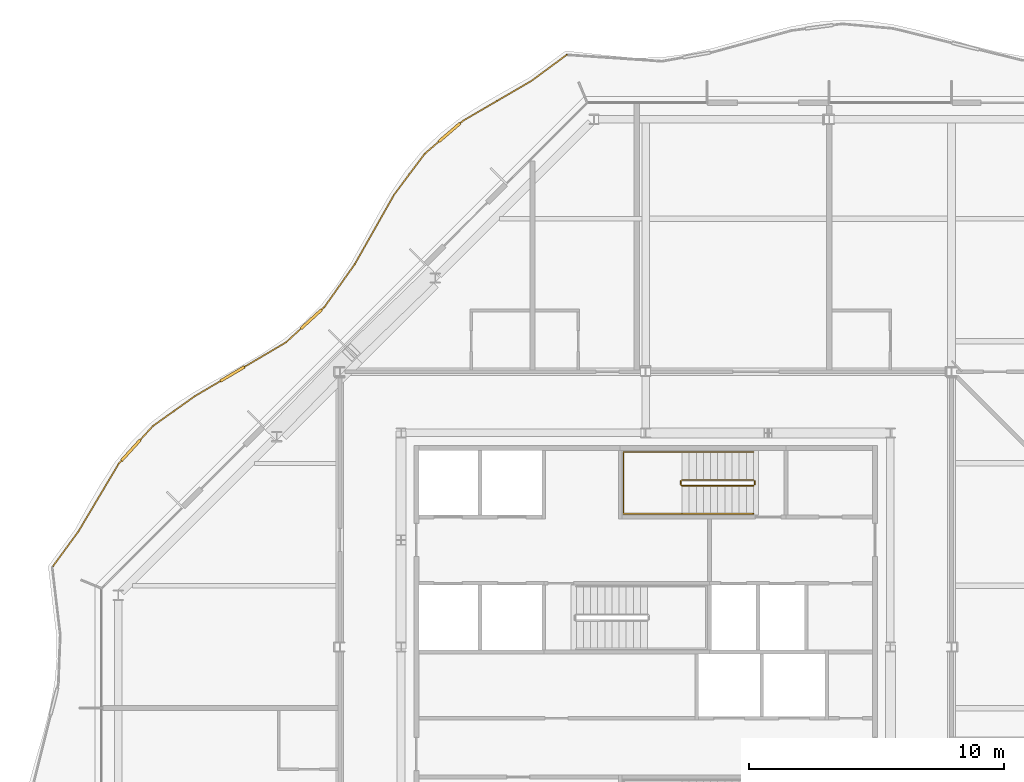
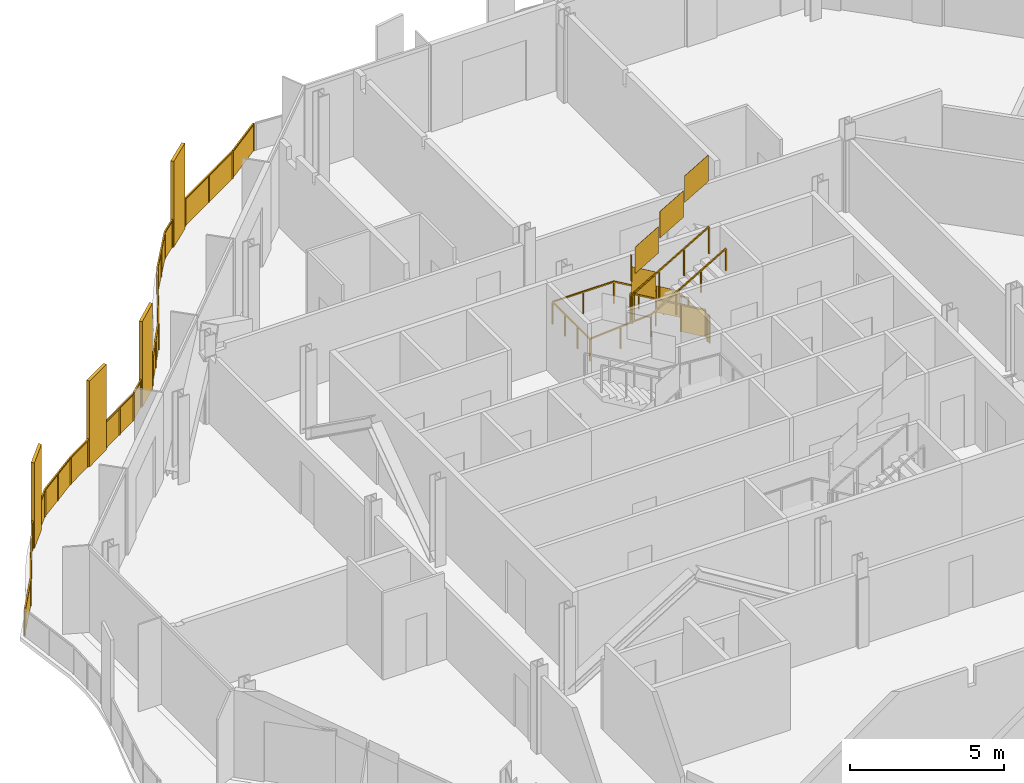
# One storey, part 16 of 17: 4 railings.
"""IFC4 building model written with IfcOpenShell, lengths in metres."""

from ifc_helpers import new_model, si_unit, direction, frame, origin, origin_2d, place, context, subcontext, project, spatial, polyline, rectangle, outline, extrude, material, type_object, element, save


model = new_model("IFC4")

# Units and contexts
model_context = context("Model", 3, precision=1e-05, world=origin(), true_north=direction((0.0, 1.0)))
body_context = subcontext(model_context, "Body", "Model", "MODEL_VIEW")
ifc_project = project(units=[si_unit("LENGTHUNIT", "METRE"), si_unit("AREAUNIT", "SQUARE_METRE"), si_unit("VOLUMEUNIT", "CUBIC_METRE"), si_unit("PLANEANGLEUNIT", "RADIAN"), si_unit("MASSUNIT", "GRAM", prefix="KILO")], contexts=[model_context])

# Site, building, storey
site_placement = place(None, origin())
site = spatial("IfcSite", under=ifc_project, at=site_placement, CompositionType="ELEMENT")
building_placement = place(site_placement, origin())
building = spatial("IfcBuilding", under=site, at=building_placement, Name="Cairn Pilgrim Tower", CompositionType="ELEMENT")
storey_placement = place(building_placement, frame((0.0, 0.0, 235.800048828125)))
storey = spatial("IfcBuildingStorey", under=building, at=storey_placement, Name="L60", CompositionType="ELEMENT", Elevation=235.800048828125)

# Railings
ifc_material_1 = material(Name="Bronze anodised aluminium rail, posts and fin screens with laminated glass infill", Category="aluminium")
railing_type_1 = type_object("IfcRailingType", Name="BALCONY GUARD WITH FIN SCREENS", PredefinedType="GUARDRAIL", material=ifc_material_1)
railing_1_placement = place(storey_placement, frame((4.1044921875, 25.633544921875, 0.0)))
element("IfcRailing", 1, at=railing_1_placement, inside=storey, type_object=railing_type_1, Name="Balcony guard BGF-6 with fin screens", PredefinedType="GUARDRAIL", context=body_context, shape_type="SweptSolid", body=[
    extrude(rectangle(XDim=0.050048828125, YDim=0.050048828125, at=origin_2d()), frame((0.0, 0.0, 1.0751953125), z_axis=(-0.80444475664, -0.594027468653, 0.0), x_axis=(0.594027468653, -0.80444475664, 0.0)), (0.0, 0.0, 1.0), 1.71826171875),
    extrude(rectangle(XDim=0.050048828125, YDim=0.050048828125, at=origin_2d()), frame((-1.38232421875, -1.020751953125, 1.0751953125), z_axis=(-0.863838605298, -0.503768661189, 0.0), x_axis=(0.503768661189, -0.863838605298, 0.0)), (0.0, 0.0, 1.0), 3.1142578125),
    extrude(rectangle(XDim=1.10009765625, YDim=0.110107421875, at=origin_2d()), frame((-4.602783203125, -3.046630859375, 0.0), z_axis=(0.0, 0.0, 1.0), x_axis=(-0.757518929404, -0.652813198085, 0.0)), (0.0, 0.0, 1.0), 3.39990234375),
    extrude(rectangle(XDim=0.050048828125, YDim=0.050048828125, at=origin_2d()), frame((-4.072509765625, -2.589599609375, 1.0751953125), z_axis=(-0.757518929404, -0.652813198085, 0.0), x_axis=(0.652813198085, -0.757518929404, 0.0)), (0.0, 0.0, 1.0), 0.150146484375),
    extrude(rectangle(XDim=0.050048828125, YDim=0.050048828125, at=origin_2d()), frame((-5.01953125, -3.40576171875, 1.0751953125), z_axis=(-0.757518929404, -0.652813198085, 0.0), x_axis=(0.652813198085, -0.757518929404, 0.0)), (0.0, 0.0, 1.0), 0.736572265625),
    extrude(rectangle(XDim=0.050048828125, YDim=0.050048828125, at=origin_2d()), frame((-5.577392578125, -3.886474609375, 1.0751953125), z_axis=(-0.598577750348, -0.801064714482, 0.0), x_axis=(0.801064714482, -0.598577750348, 0.0)), (0.0, 0.0, 1.0), 2.00634765625),
    extrude(rectangle(XDim=0.050048828125, YDim=0.050048828125, at=origin_2d()), frame((-6.7783203125, -5.49365234375, 1.0751953125), z_axis=(-0.492597104851, -0.870257486203, 0.0), x_axis=(0.870257486203, -0.492597104851, 0.0)), (0.0, 0.0, 1.0), 3.12890625),
    extrude(rectangle(XDim=0.050048828125, YDim=0.050048828125, at=origin_2d()), frame((-8.319580078125, -8.216552734375, 1.0751953125), z_axis=(-0.577764632269, -0.816203424214, 0.0), x_axis=(0.816203424214, -0.577764632269, 0.0)), (0.0, 0.0, 1.0), 2.064208984375),
    extrude(rectangle(XDim=1.10009765625, YDim=0.110107421875, at=origin_2d()), frame((-10.028076171875, -10.37451171875, 0.0), z_axis=(0.0, 0.0, 1.0), x_axis=(-0.736950930618, -0.675946244801, 0.0)), (0.0, 0.0, 1.0), 3.39990234375),
    extrude(rectangle(XDim=0.050048828125, YDim=0.050048828125, at=origin_2d()), frame((-9.51220703125, -9.9013671875, 1.0751953125), z_axis=(-0.736950930618, -0.675946244801, 0.0), x_axis=(0.675946244801, -0.736950930618, 0.0)), (0.0, 0.0, 1.0), 0.150146484375),
    extrude(rectangle(XDim=0.050048828125, YDim=0.050048828125, at=origin_2d()), frame((-10.433349609375, -10.746337890625, 1.0751953125), z_axis=(-0.736950930618, -0.675946244801, 0.0), x_axis=(0.675946244801, -0.736950930618, 0.0)), (0.0, 0.0, 1.0), 0.794921875),
    extrude(rectangle(XDim=1.10009765625, YDim=0.110107421875, at=origin_2d()), frame((-13.12060546875, -12.524169921875, 0.0), z_axis=(0.0, 0.0, 1.0), x_axis=(-0.861129603371, -0.508385489759, 0.0)), (0.0, 0.0, 1.0), 3.39990234375),
    extrude(rectangle(XDim=0.050048828125, YDim=0.050048828125, at=origin_2d()), frame((-11.019287109375, -11.28369140625, 1.0751953125), z_axis=(-0.861129603371, -0.508385489759, 0.0), x_axis=(0.508385489759, -0.861129603371, 0.0)), (0.0, 0.0, 1.0), 1.89013671875),
    extrude(rectangle(XDim=0.050048828125, YDim=0.050048828125, at=origin_2d()), frame((-13.59423828125, -12.803955078125, 1.0751953125), z_axis=(-0.861129603371, -0.508385489759, 0.0), x_axis=(0.508385489759, -0.861129603371, 0.0)), (0.0, 0.0, 1.0), 1.1728515625),
    extrude(rectangle(XDim=0.050048828125, YDim=0.050048828125, at=origin_2d()), frame((-14.604248046875, -13.400146484375, 1.0751953125), z_axis=(-0.813872521637, -0.581043473867, 0.0), x_axis=(0.581043473867, -0.813872521637, 0.0)), (0.0, 0.0, 1.0), 2.016357421875),
    extrude(rectangle(XDim=1.10009765625, YDim=0.110107421875, at=origin_2d()), frame((-17.107666015625, -15.521484375, 0.0), z_axis=(0.0, 0.0, 1.0), x_axis=(-0.672237498188, -0.740335563126, 0.0)), (0.0, 0.0, 1.0), 3.39990234375),
    extrude(rectangle(XDim=0.050048828125, YDim=0.050048828125, at=origin_2d()), frame((-16.245361328125, -14.57177734375, 1.0751953125), z_axis=(-0.672237498188, -0.740335563126, 0.0), x_axis=(0.740335563126, -0.672237498188, 0.0)), (0.0, 0.0, 1.0), 0.732666015625),
    extrude(rectangle(XDim=0.050048828125, YDim=0.050048828125, at=origin_2d()), frame((-17.477294921875, -15.9287109375, 1.0751953125), z_axis=(-0.672237498188, -0.740335563126, 0.0), x_axis=(0.740335563126, -0.672237498188, 0.0)), (0.0, 0.0, 1.0), 0.14990234375),
    extrude(rectangle(XDim=0.050048828125, YDim=0.050048828125, at=origin_2d()), frame((-17.578125, -16.03955078125, 1.0751953125), z_axis=(-0.511196287335, -0.859463993321, 0.0), x_axis=(0.859463993321, -0.511196287335, 0.0)), (0.0, 0.0, 1.0), 3.104736328125),
    extrude(rectangle(XDim=0.050048828125, YDim=0.050048828125, at=origin_2d()), frame((-19.165283203125, -18.7080078125, 1.0751953125), z_axis=(-0.590556206085, -0.806996510187, 0.0), x_axis=(0.806996510187, -0.590556206085, 0.0)), (0.0, 0.0, 1.0), 1.678466796875),
    extrude(rectangle(XDim=0.050048828125, YDim=0.050048828125, at=origin_2d()), origin(), (0.0, 0.0, 1.0), 1.050048828125),
    extrude(rectangle(XDim=0.050048828125, YDim=0.050048828125, at=origin_2d()), frame((-1.38232421875, -1.020751953125, 0.0)), (0.0, 0.0, 1.0), 1.050048828125),
    extrude(rectangle(XDim=0.050048828125, YDim=0.050048828125, at=origin_2d()), frame((-2.7275390625, -1.80517578125, 0.0)), (0.0, 0.0, 1.0), 1.050048828125),
    extrude(rectangle(XDim=0.050048828125, YDim=0.050048828125, at=origin_2d()), frame((-4.072509765625, -2.589599609375, 0.0)), (0.0, 0.0, 1.0), 1.050048828125),
    extrude(rectangle(XDim=0.050048828125, YDim=0.050048828125, at=origin_2d()), frame((-4.167236328125, -2.671142578125, 0.0)), (0.0, 0.0, 1.0), 1.050048828125),
    extrude(rectangle(XDim=0.050048828125, YDim=0.050048828125, at=origin_2d()), frame((-5.03857421875, -3.422119140625, 0.0)), (0.0, 0.0, 1.0), 1.050048828125),
    extrude(rectangle(XDim=0.050048828125, YDim=0.050048828125, at=origin_2d()), frame((-5.577392578125, -3.886474609375, 0.0)), (0.0, 0.0, 1.0), 1.050048828125),
    extrude(rectangle(XDim=0.050048828125, YDim=0.050048828125, at=origin_2d()), frame((-6.177734375, -4.68994140625, 0.0)), (0.0, 0.0, 1.0), 1.050048828125),
    extrude(rectangle(XDim=0.050048828125, YDim=0.050048828125, at=origin_2d()), frame((-6.7783203125, -5.49365234375, 0.0)), (0.0, 0.0, 1.0), 1.050048828125),
    extrude(rectangle(XDim=0.050048828125, YDim=0.050048828125, at=origin_2d()), frame((-7.548828125, -6.85498046875, 0.0)), (0.0, 0.0, 1.0), 1.050048828125),
    extrude(rectangle(XDim=0.050048828125, YDim=0.050048828125, at=origin_2d()), frame((-8.319580078125, -8.216552734375, 0.0)), (0.0, 0.0, 1.0), 1.050048828125),
    extrude(rectangle(XDim=0.050048828125, YDim=0.050048828125, at=origin_2d()), frame((-8.916015625, -9.05908203125, 0.0)), (0.0, 0.0, 1.0), 1.050048828125),
    extrude(rectangle(XDim=0.050048828125, YDim=0.050048828125, at=origin_2d()), frame((-9.51220703125, -9.9013671875, 0.0)), (0.0, 0.0, 1.0), 1.050048828125),
    extrude(rectangle(XDim=0.050048828125, YDim=0.050048828125, at=origin_2d()), frame((-9.604248046875, -9.98583984375, 0.0)), (0.0, 0.0, 1.0), 1.050048828125),
    extrude(rectangle(XDim=0.050048828125, YDim=0.050048828125, at=origin_2d()), frame((-10.451904296875, -10.76318359375, 0.0)), (0.0, 0.0, 1.0), 1.050048828125),
    extrude(rectangle(XDim=0.050048828125, YDim=0.050048828125, at=origin_2d()), frame((-11.019287109375, -11.28369140625, 0.0)), (0.0, 0.0, 1.0), 1.050048828125),
    extrude(rectangle(XDim=0.050048828125, YDim=0.050048828125, at=origin_2d()), frame((-11.822265625, -11.7578125, 0.0)), (0.0, 0.0, 1.0), 1.050048828125),
    extrude(rectangle(XDim=0.050048828125, YDim=0.050048828125, at=origin_2d()), frame((-12.62548828125, -12.23193359375, 0.0)), (0.0, 0.0, 1.0), 1.050048828125),
    extrude(rectangle(XDim=0.050048828125, YDim=0.050048828125, at=origin_2d()), frame((-13.61572265625, -12.816650390625, 0.0)), (0.0, 0.0, 1.0), 1.050048828125),
    extrude(rectangle(XDim=0.050048828125, YDim=0.050048828125, at=origin_2d()), frame((-14.604248046875, -13.400146484375, 0.0)), (0.0, 0.0, 1.0), 1.050048828125),
    extrude(rectangle(XDim=0.050048828125, YDim=0.050048828125, at=origin_2d()), frame((-15.4248046875, -13.98583984375, 0.0)), (0.0, 0.0, 1.0), 1.050048828125),
    extrude(rectangle(XDim=0.050048828125, YDim=0.050048828125, at=origin_2d()), frame((-16.245361328125, -14.57177734375, 0.0)), (0.0, 0.0, 1.0), 1.050048828125),
    extrude(rectangle(XDim=0.050048828125, YDim=0.050048828125, at=origin_2d()), frame((-16.72119140625, -15.095703125, 0.0)), (0.0, 0.0, 1.0), 1.050048828125),
    extrude(rectangle(XDim=0.050048828125, YDim=0.050048828125, at=origin_2d()), frame((-17.494140625, -15.947021484375, 0.0)), (0.0, 0.0, 1.0), 1.050048828125),
    extrude(rectangle(XDim=0.050048828125, YDim=0.050048828125, at=origin_2d()), frame((-17.578125, -16.03955078125, 0.0)), (0.0, 0.0, 1.0), 1.050048828125),
    extrude(rectangle(XDim=0.050048828125, YDim=0.050048828125, at=origin_2d()), frame((-18.37158203125, -17.373779296875, 0.0)), (0.0, 0.0, 1.0), 1.050048828125),
    extrude(rectangle(XDim=0.050048828125, YDim=0.050048828125, at=origin_2d()), frame((-19.165283203125, -18.7080078125, 0.0)), (0.0, 0.0, 1.0), 1.050048828125),
    extrude(rectangle(XDim=0.050048828125, YDim=0.050048828125, at=origin_2d()), frame((-20.156494140625, -20.0625, 0.0)), (0.0, 0.0, 1.0), 1.050048828125),
    extrude(outline(polyline([(0.02490234375, 0.0), (1.693359375, 0.0), (1.693359375, 1.050048828125), (0.02490234375, 1.050048828125), (0.02490234375, 0.0)])), frame((0.003662109375, -0.0048828125, 0.0), z_axis=(-0.594027468653, 0.80444475664, 0.0), x_axis=(-0.80444475664, -0.594027468653, 0.0)), (0.0, 0.0, 1.0), 0.011962890625),
    extrude(outline(polyline([(0.02490234375, 0.0), (1.531982421875, 0.0), (1.531982421875, 1.050048828125), (0.02490234375, 1.050048828125), (0.02490234375, 0.0)])), frame((-1.37939453125, -1.02587890625, 0.0), z_axis=(-0.503768661189, 0.863838605298, 0.0), x_axis=(-0.863838605298, -0.503768661189, 0.0)), (0.0, 0.0, 1.0), 0.011962890625),
    extrude(outline(polyline([(0.02490234375, 0.0), (1.531982421875, 0.0), (1.531982421875, 1.050048828125), (0.02490234375, 1.050048828125), (0.02490234375, 0.0)])), frame((-2.724365234375, -1.810302734375, 0.0), z_axis=(-0.503768661189, 0.863838605298, 0.0), x_axis=(-0.863838605298, -0.503768661189, 0.0)), (0.0, 0.0, 1.0), 0.011962890625),
    extrude(outline(polyline([(0.02490234375, 0.0), (0.10009765625, 0.0), (0.10009765625, 1.050048828125), (0.02490234375, 1.050048828125), (0.02490234375, 0.0)])), frame((-4.068603515625, -2.59423828125, 0.0), z_axis=(-0.652813198085, 0.757518929404, 0.0), x_axis=(-0.757518929404, -0.652813198085, 0.0)), (0.0, 0.0, 1.0), 0.011962890625),
    extrude(outline(polyline([(0.02490234375, 0.0), (0.6865234375, 0.0), (0.6865234375, 1.050048828125), (0.02490234375, 1.050048828125), (0.02490234375, 0.0)])), frame((-5.03466796875, -3.426513671875, 0.0), z_axis=(-0.652813198085, 0.757518929404, 0.0), x_axis=(-0.757518929404, -0.652813198085, 0.0)), (0.0, 0.0, 1.0), 0.011962890625),
    extrude(outline(polyline([(0.02490234375, 0.0), (0.97802734375, 0.0), (0.97802734375, 1.050048828125), (0.02490234375, 1.050048828125), (0.02490234375, 0.0)])), frame((-5.572509765625, -3.89013671875, 0.0), z_axis=(-0.801064714482, 0.598577750348, 0.0), x_axis=(-0.598577750348, -0.801064714482, 0.0)), (0.0, 0.0, 1.0), 0.011962890625),
    extrude(outline(polyline([(0.02490234375, 0.0), (0.97802734375, 0.0), (0.97802734375, 1.050048828125), (0.02490234375, 1.050048828125), (0.02490234375, 0.0)])), frame((-6.173095703125, -4.693603515625, 0.0), z_axis=(-0.801064714482, 0.598577750348, 0.0), x_axis=(-0.598577750348, -0.801064714482, 0.0)), (0.0, 0.0, 1.0), 0.011962890625),
    extrude(outline(polyline([(0.02490234375, 0.0), (1.539306640625, 0.0), (1.539306640625, 1.050048828125), (0.02490234375, 1.050048828125), (0.02490234375, 0.0)])), frame((-6.773193359375, -5.49658203125, 0.0), z_axis=(-0.870257486203, 0.492597104851, 0.0), x_axis=(-0.492597104851, -0.870257486203, 0.0)), (0.0, 0.0, 1.0), 0.011962890625),
    extrude(outline(polyline([(0.02490234375, 0.0), (1.539306640625, 0.0), (1.539306640625, 1.050048828125), (0.02490234375, 1.050048828125), (0.02490234375, 0.0)])), frame((-7.543701171875, -6.858154296875, 0.0), z_axis=(-0.870257486203, 0.492597104851, 0.0), x_axis=(-0.492597104851, -0.870257486203, 0.0)), (0.0, 0.0, 1.0), 0.011962890625),
    extrude(outline(polyline([(0.02490234375, 0.0), (1.007080078125, 0.0), (1.007080078125, 1.050048828125), (0.02490234375, 1.050048828125), (0.02490234375, 0.0)])), frame((-8.314697265625, -8.219970703125, 0.0), z_axis=(-0.816203424214, 0.577764632269, 0.0), x_axis=(-0.577764632269, -0.816203424214, 0.0)), (0.0, 0.0, 1.0), 0.011962890625),
    extrude(outline(polyline([(0.02490234375, 0.0), (1.007080078125, 0.0), (1.007080078125, 1.050048828125), (0.02490234375, 1.050048828125), (0.02490234375, 0.0)])), frame((-8.9111328125, -9.0625, 0.0), z_axis=(-0.816203424214, 0.577764632269, 0.0), x_axis=(-0.577764632269, -0.816203424214, 0.0)), (0.0, 0.0, 1.0), 0.011962890625),
    extrude(outline(polyline([(0.02490234375, 0.0), (0.10009765625, 0.0), (0.10009765625, 1.050048828125), (0.02490234375, 1.050048828125), (0.02490234375, 0.0)])), frame((-9.508056640625, -9.90576171875, 0.0), z_axis=(-0.675946244801, 0.736950930618, 0.0), x_axis=(-0.736950930618, -0.675946244801, 0.0)), (0.0, 0.0, 1.0), 0.011962890625),
    extrude(outline(polyline([(0.02490234375, 0.0), (0.744873046875, 0.0), (0.744873046875, 1.050048828125), (0.02490234375, 1.050048828125), (0.02490234375, 0.0)])), frame((-10.44775390625, -10.767578125, 0.0), z_axis=(-0.675946244801, 0.736950930618, 0.0), x_axis=(-0.736950930618, -0.675946244801, 0.0)), (0.0, 0.0, 1.0), 0.011962890625),
    extrude(outline(polyline([(0.02490234375, 0.0), (0.907470703125, 0.0), (0.907470703125, 1.050048828125), (0.02490234375, 1.050048828125), (0.02490234375, 0.0)])), frame((-11.016357421875, -11.288818359375, 0.0), z_axis=(-0.508385489759, 0.861129603371, 0.0), x_axis=(-0.861129603371, -0.508385489759, 0.0)), (0.0, 0.0, 1.0), 0.011962890625),
    extrude(outline(polyline([(0.02490234375, 0.0), (0.907470703125, 0.0), (0.907470703125, 1.050048828125), (0.02490234375, 1.050048828125), (0.02490234375, 0.0)])), frame((-11.8193359375, -11.762939453125, 0.0), z_axis=(-0.508385489759, 0.861129603371, 0.0), x_axis=(-0.861129603371, -0.508385489759, 0.0)), (0.0, 0.0, 1.0), 0.011962890625),
    extrude(outline(polyline([(0.02490234375, 0.0), (1.122802734375, 0.0), (1.122802734375, 1.050048828125), (0.02490234375, 1.050048828125), (0.02490234375, 0.0)])), frame((-13.61279296875, -12.82177734375, 0.0), z_axis=(-0.508385489759, 0.861129603371, 0.0), x_axis=(-0.861129603371, -0.508385489759, 0.0)), (0.0, 0.0, 1.0), 0.011962890625),
    extrude(outline(polyline([(0.02490234375, 0.0), (0.983154296875, 0.0), (0.983154296875, 1.050048828125), (0.02490234375, 1.050048828125), (0.02490234375, 0.0)])), frame((-14.600830078125, -13.405029296875, 0.0), z_axis=(-0.581043473867, 0.813872521637, 0.0), x_axis=(-0.813872521637, -0.581043473867, 0.0)), (0.0, 0.0, 1.0), 0.011962890625),
    extrude(outline(polyline([(0.02490234375, 0.0), (0.983154296875, 0.0), (0.983154296875, 1.050048828125), (0.02490234375, 1.050048828125), (0.02490234375, 0.0)])), frame((-15.42138671875, -13.99072265625, 0.0), z_axis=(-0.581043473867, 0.813872521637, 0.0), x_axis=(-0.813872521637, -0.581043473867, 0.0)), (0.0, 0.0, 1.0), 0.011962890625),
    extrude(outline(polyline([(0.02490234375, 0.0), (0.6826171875, 0.0), (0.6826171875, 1.050048828125), (0.02490234375, 1.050048828125), (0.02490234375, 0.0)])), frame((-16.240966796875, -14.57568359375, 0.0), z_axis=(-0.740335563126, 0.672237498188, 0.0), x_axis=(-0.672237498188, -0.740335563126, 0.0)), (0.0, 0.0, 1.0), 0.011962890625),
    extrude(outline(polyline([(0.02490234375, 0.0), (0.099853515625, 0.0), (0.099853515625, 1.050048828125), (0.02490234375, 1.050048828125), (0.02490234375, 0.0)])), frame((-17.48974609375, -15.951171875, 0.0), z_axis=(-0.740335563126, 0.672237498188, 0.0), x_axis=(-0.672237498188, -0.740335563126, 0.0)), (0.0, 0.0, 1.0), 0.011962890625),
    extrude(outline(polyline([(0.02490234375, 0.0), (1.52734375, 0.0), (1.52734375, 1.050048828125), (0.02490234375, 1.050048828125), (0.02490234375, 0.0)])), frame((-17.572998046875, -16.042724609375, 0.0), z_axis=(-0.859463993321, 0.511196287335, 0.0), x_axis=(-0.511196287335, -0.859463993321, 0.0)), (0.0, 0.0, 1.0), 0.011962890625),
    extrude(outline(polyline([(0.02490234375, 0.0), (1.52734375, 0.0), (1.52734375, 1.050048828125), (0.02490234375, 1.050048828125), (0.02490234375, 0.0)])), frame((-18.366455078125, -17.376953125, 0.0), z_axis=(-0.859463993321, 0.511196287335, 0.0), x_axis=(-0.511196287335, -0.859463993321, 0.0)), (0.0, 0.0, 1.0), 0.011962890625),
    extrude(outline(polyline([(0.02490234375, 0.0), (1.6533203125, 0.0), (1.6533203125, 1.050048828125), (0.02490234375, 1.050048828125), (0.02490234375, 0.0)])), frame((-19.160400390625, -18.71142578125, 0.0), z_axis=(-0.806996510187, 0.590556206085, 0.0), x_axis=(-0.590556206085, -0.806996510187, 0.0)), (0.0, 0.0, 1.0), 0.011962890625),
])
ifc_material_2 = material(Name="Painted steel", Category="steel")
railing_type_2 = type_object("IfcRailingType", Name="STAIR GUARD 1100", PredefinedType="GUARDRAIL", material=ifc_material_2)
railing_2_placement = place(storey_placement, frame((11.425048828125, 8.949951171875, 0.16357421875)))
element("IfcRailing", 2, at=railing_2_placement, inside=storey, type_object=railing_type_2, Name="L60 ST-C stair guard 1", PredefinedType="GUARDRAIL", context=body_context, shape_type="SweptSolid", body=[
    extrude(rectangle(XDim=0.048095703125, YDim=0.048095703125, at=origin_2d()), frame((0.0, 0.0, 1.076171875), z_axis=(-0.863360870873, 0.0, 0.504586966384), x_axis=(0.0, -1.0, 0.0)), (0.0, 0.0, 1.0), 3.2431640625),
    extrude(rectangle(XDim=0.048095703125, YDim=0.048095703125, at=origin_2d()), frame((-2.800048828125, 0.0, 2.71240234375), z_axis=(-0.707106781187, -0.707106781187, 0.0), x_axis=(0.707106781187, -0.707106781187, 0.0)), (0.0, 0.0, 1.0), 0.07080078125),
    extrude(rectangle(XDim=0.048095703125, YDim=0.048095703125, at=origin_2d()), frame((-2.85009765625, -0.050048828125, 2.71240234375), z_axis=(0.0, -1.0, 0.0), x_axis=(1.0, 0.0, 0.0)), (0.0, 0.0, 1.0), 0.125),
    extrude(rectangle(XDim=0.048095703125, YDim=0.048095703125, at=origin_2d()), frame((-2.85009765625, -0.175048828125, 2.71240234375), z_axis=(0.280916556609, -0.279546231943, 0.91811752648), x_axis=(0.705375805398, 0.708833529934, 0.0)), (0.0, 0.0, 1.0), 0.17822265625),
    extrude(rectangle(XDim=0.048095703125, YDim=0.048095703125, at=origin_2d()), frame((-2.800048828125, -0.224853515625, 2.8759765625), z_axis=(0.863393664356, 0.0, 0.504530851732), x_axis=(0.0, 1.0, 0.0)), (0.0, 0.0, 1.0), 3.2431640625),
    extrude(rectangle(XDim=0.0419921875, YDim=0.0419921875, at=origin_2d()), origin(), (0.0, 0.0, 1.0), 1.052001953125),
    extrude(rectangle(XDim=0.0419921875, YDim=0.0419921875, at=origin_2d()), frame((-0.933349609375, 0.0, 0.54541015625)), (0.0, 0.0, 1.0), 1.052001953125),
    extrude(rectangle(XDim=0.0419921875, YDim=0.0419921875, at=origin_2d()), frame((-1.86669921875, 0.0, 1.091064453125)), (0.0, 0.0, 1.0), 1.052001953125),
    extrude(rectangle(XDim=0.0419921875, YDim=0.0419921875, at=origin_2d()), frame((-2.800048828125, 0.0, 1.636474609375)), (0.0, 0.0, 1.0), 1.052001953125),
    extrude(rectangle(XDim=0.0419921875, YDim=0.0419921875, at=origin_2d()), frame((-2.85009765625, -0.050048828125, 1.636474609375)), (0.0, 0.0, 1.0), 1.052001953125),
    extrude(rectangle(XDim=0.0419921875, YDim=0.0419921875, at=origin_2d()), frame((-2.85009765625, -0.175048828125, 1.636474609375)), (0.0, 0.0, 1.0), 1.052001953125),
    extrude(rectangle(XDim=0.0419921875, YDim=0.0419921875, at=origin_2d()), frame((-2.800048828125, -0.224853515625, 1.800048828125)), (0.0, 0.0, 1.0), 1.052001953125),
    extrude(rectangle(XDim=0.0419921875, YDim=0.0419921875, at=origin_2d()), frame((-1.86669921875, -0.224853515625, 2.345458984375)), (0.0, 0.0, 1.0), 1.052001953125),
    extrude(rectangle(XDim=0.0419921875, YDim=0.0419921875, at=origin_2d()), frame((-0.933349609375, -0.224853515625, 2.890869140625)), (0.0, 0.0, 1.0), 1.052001953125),
    extrude(rectangle(XDim=0.0419921875, YDim=0.0419921875, at=origin_2d()), frame((0.0, -0.224853515625, 3.436279296875)), (0.0, 0.0, 1.0), 1.052001953125),
    extrude(outline(polyline([(0.02099609375, 0.01220703125), (0.912353515625, 0.533203125), (0.912353515625, 1.585205078125), (0.02099609375, 1.064208984375), (0.02099609375, 0.01220703125)])), frame((0.0, -0.005859375, 0.0), z_axis=(0.0, 1.0, 0.0), x_axis=(-1.0, 0.0, 0.0)), (0.0, 0.0, 1.0), 0.011962890625),
    extrude(outline(polyline([(0.02099609375, 0.557861328125), (0.912353515625, 1.07861328125), (0.912353515625, 2.130615234375), (0.02099609375, 1.60986328125), (0.02099609375, 0.557861328125)])), frame((-0.933349609375, -0.005859375, 0.54541015625), z_axis=(0.0, 1.0, 0.0), x_axis=(-1.0, 0.0, 0.0)), (0.0, 0.0, 1.0), 0.011962890625),
    extrude(outline(polyline([(0.02099609375, 1.103271484375), (0.912353515625, 1.624267578125), (0.912353515625, 2.67626953125), (0.02099609375, 2.1552734375), (0.02099609375, 1.103271484375)])), frame((-1.86669921875, -0.005859375, 1.091064453125), z_axis=(0.0, 1.0, 0.0), x_axis=(-1.0, 0.0, 0.0)), (0.0, 0.0, 1.0), 0.011962890625),
    extrude(outline(polyline([(0.02099609375, 1.636474609375), (0.10400390625, 1.636474609375), (0.10400390625, 2.6884765625), (0.02099609375, 2.6884765625), (0.02099609375, 1.636474609375)])), frame((-2.84423828125, -0.050048828125, 1.636474609375), z_axis=(-1.0, 0.0, 0.0), x_axis=(0.0, -1.0, 0.0)), (0.0, 0.0, 1.0), 0.011962890625),
    extrude(outline(polyline([(0.02099609375, 1.812255859375), (0.912353515625, 2.333251953125), (0.912353515625, 3.38525390625), (0.02099609375, 2.8642578125), (0.02099609375, 1.812255859375)])), frame((-2.800048828125, -0.21875, 1.800048828125), z_axis=(0.0, -1.0, 0.0), x_axis=(1.0, 0.0, 0.0)), (0.0, 0.0, 1.0), 0.011962890625),
    extrude(outline(polyline([(0.02099609375, 2.357666015625), (0.912353515625, 2.878662109375), (0.912353515625, 3.9306640625), (0.02099609375, 3.40966796875), (0.02099609375, 2.357666015625)])), frame((-1.86669921875, -0.21875, 2.345458984375), z_axis=(0.0, -1.0, 0.0), x_axis=(1.0, 0.0, 0.0)), (0.0, 0.0, 1.0), 0.011962890625),
    extrude(outline(polyline([(0.02099609375, 2.903076171875), (0.912353515625, 3.424072265625), (0.912353515625, 4.47607421875), (0.02099609375, 3.955078125), (0.02099609375, 2.903076171875)])), frame((-0.933349609375, -0.21875, 2.890869140625), z_axis=(0.0, -1.0, 0.0), x_axis=(1.0, 0.0, 0.0)), (0.0, 0.0, 1.0), 0.011962890625),
])
railing_3_placement = place(storey_placement, frame((11.47509765625, 8.89990234375, 0.0)))
element("IfcRailing", 3, at=railing_3_placement, inside=storey, type_object=railing_type_2, Name="L60 ST-C stair guard 2", PredefinedType="GUARDRAIL", context=body_context, shape_type="SweptSolid", body=[
    extrude(rectangle(XDim=0.048095703125, YDim=0.048095703125, at=origin_2d()), frame((0.0, 0.0, 1.076171875), z_axis=(0.0, -1.0, 0.0), x_axis=(1.0, 0.0, 0.0)), (0.0, 0.0, 1.0), 0.125),
    extrude(rectangle(XDim=0.0419921875, YDim=0.0419921875, at=origin_2d()), origin(), (0.0, 0.0, 1.0), 1.052001953125),
    extrude(rectangle(XDim=0.0419921875, YDim=0.0419921875, at=origin_2d()), frame((0.0, -0.125, 0.0)), (0.0, 0.0, 1.0), 1.052001953125),
    extrude(outline(polyline([(0.02099609375, 0.0), (0.10400390625, 0.0), (0.10400390625, 1.052001953125), (0.02099609375, 1.052001953125), (0.02099609375, 0.0)])), frame((0.005859375, 0.0, 0.0), z_axis=(-1.0, 0.0, 0.0), x_axis=(0.0, -1.0, 0.0)), (0.0, 0.0, 1.0), 0.011962890625),
])
railing_type_3 = type_object("IfcRailingType", Name="STAIR HANDRAIL 900", PredefinedType="HANDRAIL", material=ifc_material_2)
railing_4_placement = place(storey_placement, frame((11.425048828125, 10.050048828125, 0.16357421875)))
element("IfcRailing", 4, at=railing_4_placement, inside=storey, type_object=railing_type_3, Name="L60 ST-C stair handrail 1", PredefinedType="HANDRAIL", context=body_context, shape_type="SweptSolid", body=[
    extrude(rectangle(XDim=0.048095703125, YDim=0.048095703125, at=origin_2d()), frame((0.0, 0.0, 0.8759765625), z_axis=(-0.863360870873, 0.0, 0.504586966384), x_axis=(0.0, -1.0, 0.0)), (0.0, 0.0, 1.0), 3.2431640625),
    extrude(rectangle(XDim=0.048095703125, YDim=0.048095703125, at=origin_2d()), frame((-2.800048828125, 0.0, 2.51220703125), z_axis=(-1.0, 0.0, 0.0), x_axis=(0.0, -1.0, 0.0)), (0.0, 0.0, 1.0), 2.300048828125),
    extrude(rectangle(XDim=0.048095703125, YDim=0.048095703125, at=origin_2d()), frame((-5.10009765625, 0.0, 2.51220703125), z_axis=(0.0, -1.0, 0.0), x_axis=(1.0, 0.0, 0.0)), (0.0, 0.0, 1.0), 2.425048828125),
    extrude(rectangle(XDim=0.048095703125, YDim=0.048095703125, at=origin_2d()), frame((-5.10009765625, -2.425048828125, 2.51220703125), z_axis=(0.997480687736, 0.0, 0.070938548008), x_axis=(0.0, 1.0, 0.0)), (0.0, 0.0, 1.0), 2.305908203125),
    extrude(rectangle(XDim=0.048095703125, YDim=0.048095703125, at=origin_2d()), frame((-2.800048828125, -2.425048828125, 2.67578125), z_axis=(0.863393664356, 0.0, 0.504530851732), x_axis=(0.0, 1.0, 0.0)), (0.0, 0.0, 1.0), 3.2431640625),
    extrude(rectangle(XDim=0.0419921875, YDim=0.0419921875, at=origin_2d()), origin(), (0.0, 0.0, 1.0), 0.851806640625),
    extrude(rectangle(XDim=0.0419921875, YDim=0.0419921875, at=origin_2d()), frame((-0.933349609375, 0.0, 0.54541015625)), (0.0, 0.0, 1.0), 0.851806640625),
    extrude(rectangle(XDim=0.0419921875, YDim=0.0419921875, at=origin_2d()), frame((-1.86669921875, 0.0, 1.091064453125)), (0.0, 0.0, 1.0), 0.851806640625),
    extrude(rectangle(XDim=0.0419921875, YDim=0.0419921875, at=origin_2d()), frame((-2.800048828125, 0.0, 1.636474609375)), (0.0, 0.0, 1.0), 0.851806640625),
    extrude(rectangle(XDim=0.0419921875, YDim=0.0419921875, at=origin_2d()), frame((-3.9501953125, 0.0, 1.636474609375)), (0.0, 0.0, 1.0), 0.851806640625),
    extrude(rectangle(XDim=0.0419921875, YDim=0.0419921875, at=origin_2d()), frame((-5.10009765625, 0.0, 1.636474609375)), (0.0, 0.0, 1.0), 0.851806640625),
    extrude(rectangle(XDim=0.0419921875, YDim=0.0419921875, at=origin_2d()), frame((-5.10009765625, -0.808349609375, 1.636474609375)), (0.0, 0.0, 1.0), 0.851806640625),
    extrude(rectangle(XDim=0.0419921875, YDim=0.0419921875, at=origin_2d()), frame((-5.10009765625, -1.61669921875, 1.636474609375)), (0.0, 0.0, 1.0), 0.851806640625),
    extrude(rectangle(XDim=0.0419921875, YDim=0.0419921875, at=origin_2d()), frame((-5.10009765625, -2.425048828125, 1.636474609375)), (0.0, 0.0, 1.0), 0.851806640625),
    extrude(rectangle(XDim=0.0419921875, YDim=0.0419921875, at=origin_2d()), frame((-3.9501953125, -2.425048828125, 1.71826171875)), (0.0, 0.0, 1.0), 0.851806640625),
    extrude(rectangle(XDim=0.0419921875, YDim=0.0419921875, at=origin_2d()), frame((-2.800048828125, -2.425048828125, 1.800048828125)), (0.0, 0.0, 1.0), 0.851806640625),
    extrude(rectangle(XDim=0.0419921875, YDim=0.0419921875, at=origin_2d()), frame((-1.86669921875, -2.425048828125, 2.345458984375)), (0.0, 0.0, 1.0), 0.851806640625),
    extrude(rectangle(XDim=0.0419921875, YDim=0.0419921875, at=origin_2d()), frame((-0.933349609375, -2.425048828125, 2.890869140625)), (0.0, 0.0, 1.0), 0.851806640625),
    extrude(rectangle(XDim=0.0419921875, YDim=0.0419921875, at=origin_2d()), frame((0.0, -2.425048828125, 3.436279296875)), (0.0, 0.0, 1.0), 0.851806640625),
])

save(model, "model.ifc")
